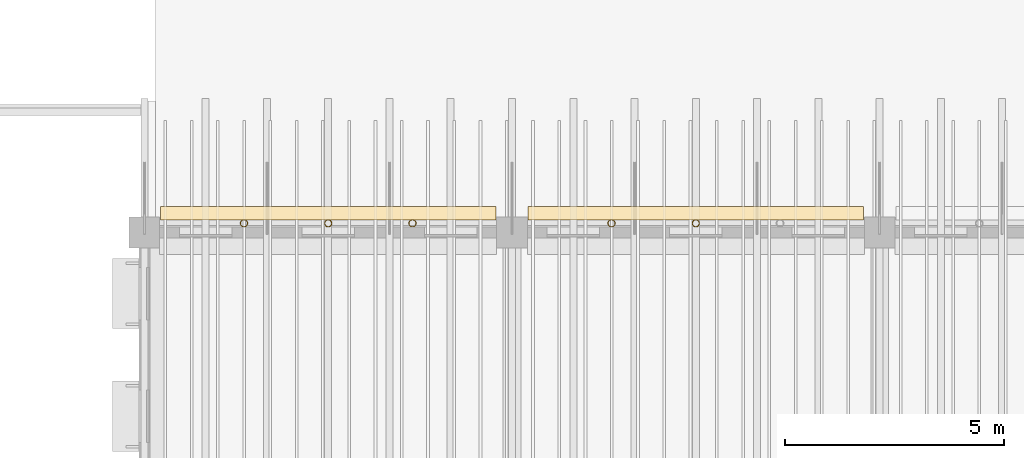
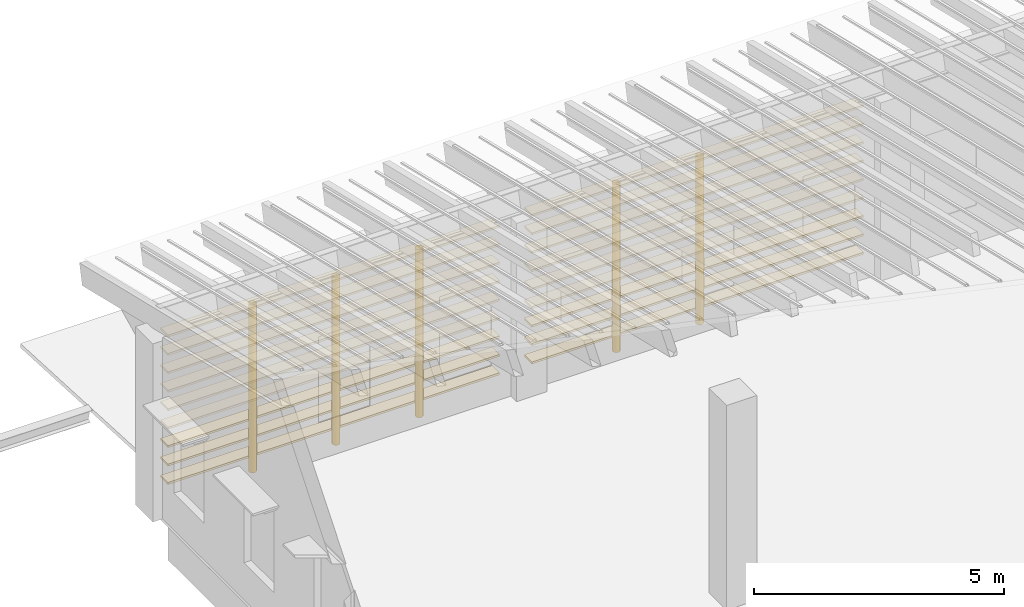
# One storey, part 66 of 82: 18 coverings, 5 shading devices.
"""IFC4 building model written with IfcOpenShell, lengths in metres."""

from ifc_helpers import new_model, si_unit, direction, frame, origin, origin_2d, place, context, subcontext, project, spatial, rectangle, hollow_circle, extrude, material, material_profile, profile_set, type_object, element, save


model = new_model("IFC4")

# Units and contexts
model_context = context("Model", 3, precision=1e-05, world=origin(), true_north=direction((0.0, 1.0)))
body_context = subcontext(model_context, "Body", "Model", "MODEL_VIEW")
ifc_project = project(units=[si_unit("LENGTHUNIT", "METRE"), si_unit("AREAUNIT", "SQUARE_METRE"), si_unit("VOLUMEUNIT", "CUBIC_METRE"), si_unit("PLANEANGLEUNIT", "RADIAN"), si_unit("MASSUNIT", "GRAM", prefix="KILO")], contexts=[model_context])

# Site, building, storey
site_placement = place(None, origin())
site = spatial("IfcSite", under=ifc_project, at=site_placement, CompositionType="ELEMENT")
building_placement = place(site_placement, origin())
building = spatial("IfcBuilding", under=site, at=building_placement, Name="Almond Square Museum", CompositionType="ELEMENT")
storey_placement = place(building_placement, frame((0.0, 0.0, 20.0)))
storey = spatial("IfcBuildingStorey", under=building, at=storey_placement, Name="L03", CompositionType="ELEMENT", Elevation=20.0)

# Shading devices
ifc_material_1 = material(Name="Structural steel S355", Category="steel")
ifc_material_profile_1 = material_profile(ifc_material_1, hollow_circle(Radius=0.084228515625, WallThickness=0.008056640625, at=origin_2d()))
ifc_profile_set_1 = profile_set([ifc_material_profile_1], Name="Structural steel S355")
shading_device_type = type_object("IfcShadingDeviceType", Name="Louvre post CHS 168.3 x 8", PredefinedType="USERDEFINED", material=ifc_profile_set_1)
for number, where, z_axis, x_axis, name in (
    (1, (50.27490234375, 109.4091796875, 0.0), (0.0, 0.0, 1.0), (1.0, 0.0, 0.0), "Louvre screen post"),
    (2, (52.199951171875, 109.4091796875, 0.0), (0.0, 0.0, 1.0), (1.0, 0.0, 0.0), "Louvre screen post"),
    (3, (41.875, 109.4091796875, 0.0), (0.0, 0.0, 1.0), (1.0, 0.0, 0.0), "Louvre screen post"),
    (4, (43.800048828125, 109.4091796875, 0.0), (0.0, 0.0, 1.0), (1.0, 0.0, 0.0), "Louvre screen post"),
    (5, (45.72509765625, 109.4091796875, 0.0), (0.0, 0.0, 1.0), (1.0, 0.0, 0.0), "Louvre screen post"),
):
    element("IfcShadingDevice", number, at=place(storey_placement, frame(where, z_axis=z_axis, x_axis=x_axis)), inside=storey, type_object=shading_device_type, Name=name, ObjectType="POST", PredefinedType="USERDEFINED", context=body_context, shape_type="SweptSolid", body=[
        extrude(hollow_circle(Radius=0.084228515625, WallThickness=0.008056640625, at=origin_2d()), origin(), (0.0, 0.0, 1.0), 4.099365234375),
    ])

# Coverings
ifc_material_2 = material(Name="Cedar timber louvre board", Category="wood")
ifc_material_profile_2 = material_profile(ifc_material_2, rectangle(XDim=0.300048828125, YDim=0.050048828125, at=origin_2d()))
ifc_profile_set_2 = profile_set([ifc_material_profile_2], Name="Cedar timber louvre board")
covering_type = type_object("IfcCoveringType", Name="Louvre screen board 300 x 50", PredefinedType="CLADDING", material=ifc_profile_set_2)
for number, where, z_axis, x_axis, name in (
    (6, (48.3701171875, 109.639404296875, 0.300048828125), (1.0, 0.0, 0.0), (0.0, 1.0, 0.0), "Louvre screen board"),
    (7, (48.3701171875, 109.639404296875, 0.75), (1.0, 0.0, 0.0), (0.0, 1.0, 0.0), "Louvre screen board"),
    (8, (48.3701171875, 109.639404296875, 1.199951171875), (1.0, 0.0, 0.0), (0.0, 1.0, 0.0), "Louvre screen board"),
    (9, (48.3701171875, 109.639404296875, 1.64990234375), (1.0, 0.0, 0.0), (0.0, 1.0, 0.0), "Louvre screen board"),
    (10, (48.3701171875, 109.639404296875, 2.10009765625), (1.0, 0.0, 0.0), (0.0, 1.0, 0.0), "Louvre screen board"),
    (11, (48.3701171875, 109.639404296875, 2.550048828125), (1.0, 0.0, 0.0), (0.0, 1.0, 0.0), "Louvre screen board"),
    (12, (48.3701171875, 109.639404296875, 3.0), (1.0, 0.0, 0.0), (0.0, 1.0, 0.0), "Louvre screen board"),
    (13, (48.3701171875, 109.639404296875, 3.449951171875), (1.0, 0.0, 0.0), (0.0, 1.0, 0.0), "Louvre screen board"),
    (14, (48.3701171875, 109.639404296875, 3.89990234375), (1.0, 0.0, 0.0), (0.0, 1.0, 0.0), "Louvre screen board"),
    (15, (39.969970703125, 109.639404296875, 0.300048828125), (1.0, 0.0, 0.0), (0.0, 1.0, 0.0), "Louvre screen board"),
    (16, (39.969970703125, 109.639404296875, 0.75), (1.0, 0.0, 0.0), (0.0, 1.0, 0.0), "Louvre screen board"),
    (17, (39.969970703125, 109.639404296875, 1.199951171875), (1.0, 0.0, 0.0), (0.0, 1.0, 0.0), "Louvre screen board"),
    (18, (39.969970703125, 109.639404296875, 1.64990234375), (1.0, 0.0, 0.0), (0.0, 1.0, 0.0), "Louvre screen board"),
    (19, (39.969970703125, 109.639404296875, 2.10009765625), (1.0, 0.0, 0.0), (0.0, 1.0, 0.0), "Louvre screen board"),
    (20, (39.969970703125, 109.639404296875, 2.550048828125), (1.0, 0.0, 0.0), (0.0, 1.0, 0.0), "Louvre screen board"),
    (21, (39.969970703125, 109.639404296875, 3.0), (1.0, 0.0, 0.0), (0.0, 1.0, 0.0), "Louvre screen board"),
    (22, (39.969970703125, 109.639404296875, 3.449951171875), (1.0, 0.0, 0.0), (0.0, 1.0, 0.0), "Louvre screen board"),
    (23, (39.969970703125, 109.639404296875, 3.89990234375), (1.0, 0.0, 0.0), (0.0, 1.0, 0.0), "Louvre screen board"),
):
    element("IfcCovering", number, at=place(storey_placement, frame(where, z_axis=z_axis, x_axis=x_axis)), inside=storey, type_object=covering_type, Name=name, PredefinedType="CLADDING", context=body_context, shape_type="SweptSolid", body=[
        extrude(rectangle(XDim=0.300048828125, YDim=0.050048828125, at=origin_2d()), origin(), (0.0, 0.0, 1.0), 7.659912109375),
    ])

save(model, "model.ifc")
